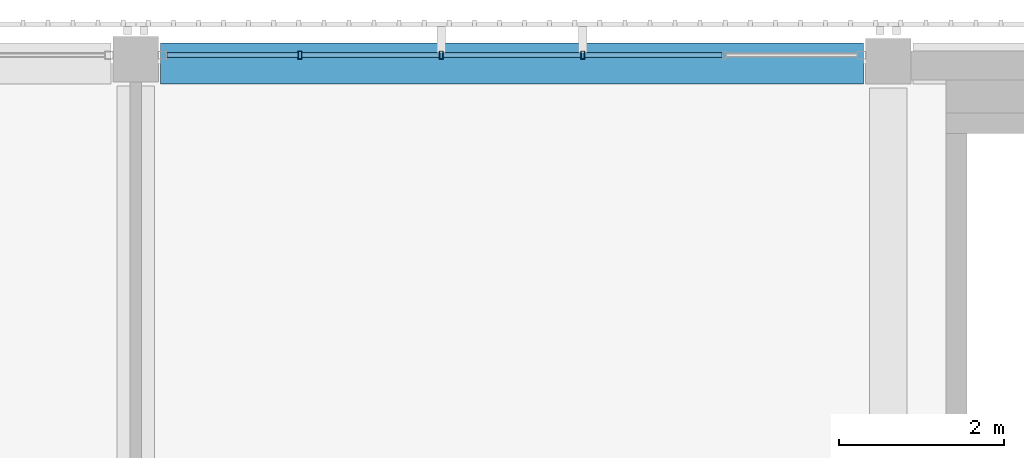
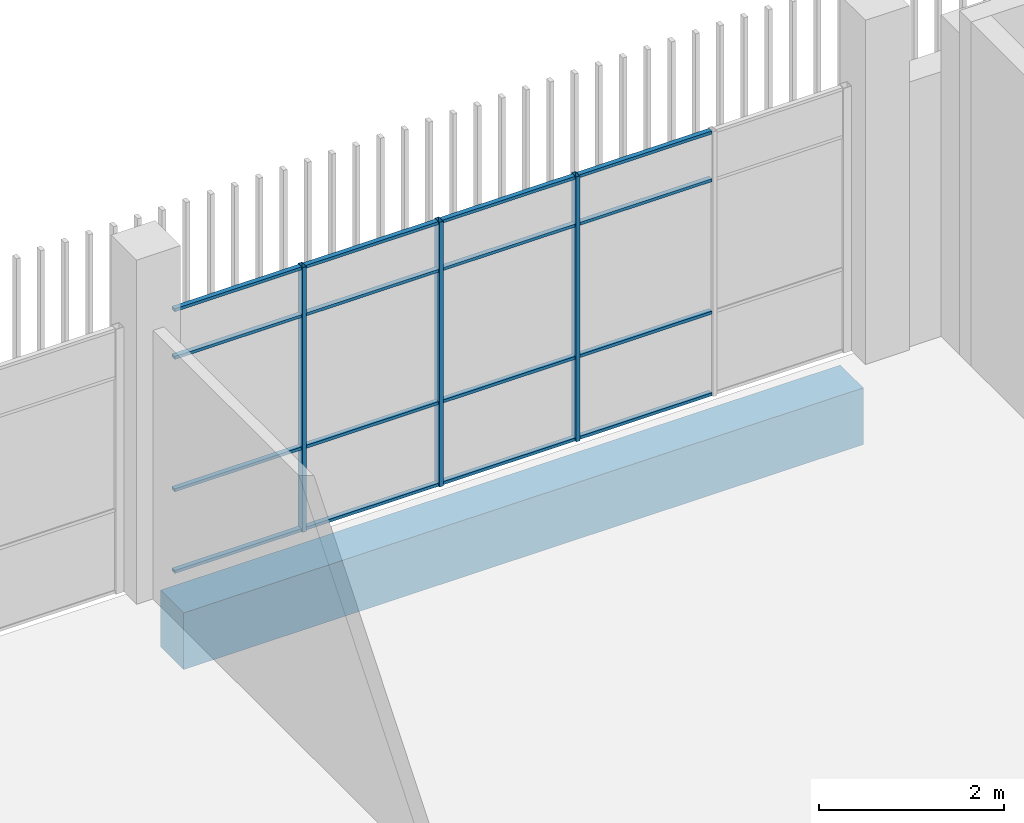
# One storey, part 31 of 104: 19 members, 1 beam, 1 element without a shape of its own.
"""IFC4 building model written with IfcOpenShell, lengths in metres."""

from ifc_helpers import new_model, si_unit, direction, frame, origin, origin_2d, place, context, subcontext, project, spatial, rectangle, hollow_rectangle, extrude, material, layer, layer_set, material_profile, profile_set, type_object, element, aggregate, save


model = new_model("IFC4")

# Units and contexts
model_context = context("Model", 3, precision=1e-05, world=origin(), true_north=direction((0.0, 1.0)))
body_context = subcontext(model_context, "Body", "Model", "MODEL_VIEW")
ifc_project = project(units=[si_unit("LENGTHUNIT", "METRE"), si_unit("AREAUNIT", "SQUARE_METRE"), si_unit("VOLUMEUNIT", "CUBIC_METRE"), si_unit("PLANEANGLEUNIT", "RADIAN"), si_unit("MASSUNIT", "GRAM", prefix="KILO")], contexts=[model_context])

# Site, building, storey
site_placement = place(None, origin())
site = spatial("IfcSite", under=ifc_project, at=site_placement, CompositionType="ELEMENT")
building_placement = place(site_placement, origin())
building = spatial("IfcBuilding", under=site, at=building_placement, Name="Shirokan Park Arena", CompositionType="ELEMENT")
storey_placement = place(building_placement, frame((0.0, 0.0, 10.919921875)))
storey = spatial("IfcBuildingStorey", under=building, at=storey_placement, Name="L02", CompositionType="ELEMENT", Elevation=10.919921875)

# Curtain wall, members
ifc_material_1 = material(Name="Steel and glass curtain wall", Category="steel")
ifc_layer = layer(ifc_material_1, 0.10009765625)
ifc_layer_set = layer_set([ifc_layer], Name="Steel and glass curtain wall 100 mm")
curtain_wall_type = type_object("IfcCurtainWallType", Name="Curtain wall sheltered bay 100", PredefinedType="NOTDEFINED", material=ifc_layer_set)
curtain_wall_placement = place(storey_placement, origin())
curtain_wall = element("IfcCurtainWall", 1, at=curtain_wall_placement, inside=storey, type_object=curtain_wall_type, Name="Curtain wall north bay 8 L02", PredefinedType="NOTDEFINED")
ifc_material_2 = material(Name="Steel S355", Category="steel")
ifc_material_profile_1 = material_profile(ifc_material_2, hollow_rectangle(XDim=0.10009765625, YDim=0.050048828125, WallThickness=0.0048828125, at=origin_2d()), Name="RHS 100x50x5")
ifc_profile_set_1 = profile_set([ifc_material_profile_1], Name="Steel S355")
member_type_1 = type_object("IfcMemberType", Name="Mullion RHS 100x50x5", PredefinedType="MULLION", material=ifc_profile_set_1)
member_1_placement = place(storey_placement, frame((78.205078125, 109.300048828125, 0.0), z_axis=(0.0, 0.0, 1.0), x_axis=(0.0, -1.0, 0.0)))
member_1 = element("IfcMember", 2, at=member_1_placement, type_object=member_type_1, Name="CW2 mullion 3", PredefinedType="MULLION", context=body_context, shape_type="SweptSolid", body=[
    extrude(hollow_rectangle(XDim=0.10009765625, YDim=0.050048828125, WallThickness=0.0048828125, at=origin_2d()), origin(), (0.0, 0.0, 1.0), 3.5),
])
member_2_placement = place(storey_placement, frame((76.4951171875, 109.300048828125, 0.0), z_axis=(0.0, 0.0, 1.0), x_axis=(0.0, -1.0, 0.0)))
member_2 = element("IfcMember", 3, at=member_2_placement, type_object=member_type_1, Name="CW2 mullion 4", PredefinedType="MULLION", context=body_context, shape_type="SweptSolid", body=[
    extrude(hollow_rectangle(XDim=0.10009765625, YDim=0.050048828125, WallThickness=0.0048828125, at=origin_2d()), origin(), (0.0, 0.0, 1.0), 3.5),
])
member_3_placement = place(storey_placement, frame((74.784912109375, 109.300048828125, 0.0), z_axis=(0.0, 0.0, 1.0), x_axis=(0.0, -1.0, 0.0)))
member_3 = element("IfcMember", 4, at=member_3_placement, type_object=member_type_1, Name="CW2 mullion 5", PredefinedType="MULLION", context=body_context, shape_type="SweptSolid", body=[
    extrude(hollow_rectangle(XDim=0.10009765625, YDim=0.050048828125, WallThickness=0.0048828125, at=origin_2d()), origin(), (0.0, 0.0, 1.0), 3.5),
])

# Beam
ifc_material_3 = material(Name="Concrete C35", Category="concrete")
ifc_material_profile_2 = material_profile(ifc_material_3, rectangle(XDim=0.5, YDim=0.75, at=origin_2d()), Name="500x750")
ifc_profile_set_2 = profile_set([ifc_material_profile_2], Name="Concrete C35")
beam_type = type_object("IfcBeamType", Name="RC girder 500x750", PredefinedType="BEAM", material=ifc_profile_set_2)
beam_placement = place(storey_placement, frame((73.10009765625, 109.199951171875, -0.6748046875), z_axis=(1.0, 0.0, 0.0), x_axis=(0.0, 1.0, 0.0)))
element("IfcBeam", 5, at=beam_placement, inside=storey, type_object=beam_type, Name="Girder 9N-10N L02", PredefinedType="BEAM", context=body_context, shape_type="SweptSolid", body=[
    extrude(rectangle(XDim=0.5, YDim=0.75, at=origin_2d()), origin(), (0.0, 0.0, 1.0), 8.499755859375),
])

# Member
ifc_material_profile_3 = material_profile(ifc_material_2, hollow_rectangle(XDim=0.06005859375, YDim=0.0400390625, WallThickness=0.00390625, at=origin_2d()), Name="RHS 60x40x4")
ifc_profile_set_3 = profile_set([ifc_material_profile_3], Name="Steel S355")
member_type_2 = type_object("IfcMemberType", Name="Transom RHS 60x40x4", PredefinedType="MULLION", material=ifc_profile_set_3)
member_4_placement = place(storey_placement, frame((79.889892578125, 109.300048828125, 0.02001953125), z_axis=(-1.0, 0.0, 0.0), x_axis=(0.0, -1.0, 0.0)))
member_4 = element("IfcMember", 6, at=member_4_placement, type_object=member_type_2, Name="CW2 transom 2.1", PredefinedType="MULLION", context=body_context, shape_type="SweptSolid", body=[
    extrude(hollow_rectangle(XDim=0.06005859375, YDim=0.0400390625, WallThickness=0.00390625, at=origin_2d()), origin(), (0.0, 0.0, 1.0), 1.659912109375),
])

member_5_placement = place(storey_placement, frame((79.889892578125, 109.300048828125, 1.10009765625), z_axis=(-1.0, 0.0, 0.0), x_axis=(0.0, -1.0, 0.0)))
member_5 = element("IfcMember", 7, at=member_5_placement, type_object=member_type_2, Name="CW2 transom 2.2", PredefinedType="MULLION", context=body_context, shape_type="SweptSolid", body=[
    extrude(hollow_rectangle(XDim=0.06005859375, YDim=0.0400390625, WallThickness=0.00390625, at=origin_2d()), origin(), (0.0, 0.0, 1.0), 1.659912109375),
])

member_6_placement = place(storey_placement, frame((79.889892578125, 109.300048828125, 2.85009765625), z_axis=(-1.0, 0.0, 0.0), x_axis=(0.0, -1.0, 0.0)))
member_6 = element("IfcMember", 8, at=member_6_placement, type_object=member_type_2, Name="CW2 transom 2.3", PredefinedType="MULLION", context=body_context, shape_type="SweptSolid", body=[
    extrude(hollow_rectangle(XDim=0.06005859375, YDim=0.0400390625, WallThickness=0.00390625, at=origin_2d()), origin(), (0.0, 0.0, 1.0), 1.659912109375),
])

member_7_placement = place(storey_placement, frame((79.889892578125, 109.300048828125, 3.47998046875), z_axis=(-1.0, 0.0, 0.0), x_axis=(0.0, -1.0, 0.0)))
member_7 = element("IfcMember", 9, at=member_7_placement, type_object=member_type_2, Name="CW2 transom 2.4", PredefinedType="MULLION", context=body_context, shape_type="SweptSolid", body=[
    extrude(hollow_rectangle(XDim=0.06005859375, YDim=0.0400390625, WallThickness=0.00390625, at=origin_2d()), origin(), (0.0, 0.0, 1.0), 1.659912109375),
])

member_8_placement = place(storey_placement, frame((78.179931640625, 109.300048828125, 0.02001953125), z_axis=(-1.0, 0.0, 0.0), x_axis=(0.0, -1.0, 0.0)))
member_8 = element("IfcMember", 10, at=member_8_placement, type_object=member_type_2, Name="CW2 transom 3.1", PredefinedType="MULLION", context=body_context, shape_type="SweptSolid", body=[
    extrude(hollow_rectangle(XDim=0.06005859375, YDim=0.0400390625, WallThickness=0.00390625, at=origin_2d()), origin(), (0.0, 0.0, 1.0), 1.659912109375),
])

member_9_placement = place(storey_placement, frame((78.179931640625, 109.300048828125, 1.10009765625), z_axis=(-1.0, 0.0, 0.0), x_axis=(0.0, -1.0, 0.0)))
member_9 = element("IfcMember", 11, at=member_9_placement, type_object=member_type_2, Name="CW2 transom 3.2", PredefinedType="MULLION", context=body_context, shape_type="SweptSolid", body=[
    extrude(hollow_rectangle(XDim=0.06005859375, YDim=0.0400390625, WallThickness=0.00390625, at=origin_2d()), origin(), (0.0, 0.0, 1.0), 1.659912109375),
])

member_10_placement = place(storey_placement, frame((78.179931640625, 109.300048828125, 2.85009765625), z_axis=(-1.0, 0.0, 0.0), x_axis=(0.0, -1.0, 0.0)))
member_10 = element("IfcMember", 12, at=member_10_placement, type_object=member_type_2, Name="CW2 transom 3.3", PredefinedType="MULLION", context=body_context, shape_type="SweptSolid", body=[
    extrude(hollow_rectangle(XDim=0.06005859375, YDim=0.0400390625, WallThickness=0.00390625, at=origin_2d()), origin(), (0.0, 0.0, 1.0), 1.659912109375),
])

member_11_placement = place(storey_placement, frame((78.179931640625, 109.300048828125, 3.47998046875), z_axis=(-1.0, 0.0, 0.0), x_axis=(0.0, -1.0, 0.0)))
member_11 = element("IfcMember", 13, at=member_11_placement, type_object=member_type_2, Name="CW2 transom 3.4", PredefinedType="MULLION", context=body_context, shape_type="SweptSolid", body=[
    extrude(hollow_rectangle(XDim=0.06005859375, YDim=0.0400390625, WallThickness=0.00390625, at=origin_2d()), origin(), (0.0, 0.0, 1.0), 1.659912109375),
])

member_12_placement = place(storey_placement, frame((76.469970703125, 109.300048828125, 0.02001953125), z_axis=(-1.0, 0.0, 0.0), x_axis=(0.0, -1.0, 0.0)))
member_12 = element("IfcMember", 14, at=member_12_placement, type_object=member_type_2, Name="CW2 transom 4.1", PredefinedType="MULLION", context=body_context, shape_type="SweptSolid", body=[
    extrude(hollow_rectangle(XDim=0.06005859375, YDim=0.0400390625, WallThickness=0.00390625, at=origin_2d()), origin(), (0.0, 0.0, 1.0), 1.659912109375),
])

member_13_placement = place(storey_placement, frame((76.469970703125, 109.300048828125, 1.10009765625), z_axis=(-1.0, 0.0, 0.0), x_axis=(0.0, -1.0, 0.0)))
member_13 = element("IfcMember", 15, at=member_13_placement, type_object=member_type_2, Name="CW2 transom 4.2", PredefinedType="MULLION", context=body_context, shape_type="SweptSolid", body=[
    extrude(hollow_rectangle(XDim=0.06005859375, YDim=0.0400390625, WallThickness=0.00390625, at=origin_2d()), origin(), (0.0, 0.0, 1.0), 1.659912109375),
])

member_14_placement = place(storey_placement, frame((76.469970703125, 109.300048828125, 2.85009765625), z_axis=(-1.0, 0.0, 0.0), x_axis=(0.0, -1.0, 0.0)))
member_14 = element("IfcMember", 16, at=member_14_placement, type_object=member_type_2, Name="CW2 transom 4.3", PredefinedType="MULLION", context=body_context, shape_type="SweptSolid", body=[
    extrude(hollow_rectangle(XDim=0.06005859375, YDim=0.0400390625, WallThickness=0.00390625, at=origin_2d()), origin(), (0.0, 0.0, 1.0), 1.659912109375),
])

member_15_placement = place(storey_placement, frame((76.469970703125, 109.300048828125, 3.47998046875), z_axis=(-1.0, 0.0, 0.0), x_axis=(0.0, -1.0, 0.0)))
member_15 = element("IfcMember", 17, at=member_15_placement, type_object=member_type_2, Name="CW2 transom 4.4", PredefinedType="MULLION", context=body_context, shape_type="SweptSolid", body=[
    extrude(hollow_rectangle(XDim=0.06005859375, YDim=0.0400390625, WallThickness=0.00390625, at=origin_2d()), origin(), (0.0, 0.0, 1.0), 1.659912109375),
])

member_16_placement = place(storey_placement, frame((74.760009765625, 109.300048828125, 0.02001953125), z_axis=(-1.0, 0.0, 0.0), x_axis=(0.0, -1.0, 0.0)))
member_16 = element("IfcMember", 18, at=member_16_placement, type_object=member_type_2, Name="CW2 transom 5.1", PredefinedType="MULLION", context=body_context, shape_type="SweptSolid", body=[
    extrude(hollow_rectangle(XDim=0.06005859375, YDim=0.0400390625, WallThickness=0.00390625, at=origin_2d()), origin(), (0.0, 0.0, 1.0), 1.5849609375),
])

member_17_placement = place(storey_placement, frame((74.760009765625, 109.300048828125, 1.10009765625), z_axis=(-1.0, 0.0, 0.0), x_axis=(0.0, -1.0, 0.0)))
member_17 = element("IfcMember", 19, at=member_17_placement, type_object=member_type_2, Name="CW2 transom 5.2", PredefinedType="MULLION", context=body_context, shape_type="SweptSolid", body=[
    extrude(hollow_rectangle(XDim=0.06005859375, YDim=0.0400390625, WallThickness=0.00390625, at=origin_2d()), origin(), (0.0, 0.0, 1.0), 1.5849609375),
])

member_18_placement = place(storey_placement, frame((74.760009765625, 109.300048828125, 2.85009765625), z_axis=(-1.0, 0.0, 0.0), x_axis=(0.0, -1.0, 0.0)))
member_18 = element("IfcMember", 20, at=member_18_placement, type_object=member_type_2, Name="CW2 transom 5.3", PredefinedType="MULLION", context=body_context, shape_type="SweptSolid", body=[
    extrude(hollow_rectangle(XDim=0.06005859375, YDim=0.0400390625, WallThickness=0.00390625, at=origin_2d()), origin(), (0.0, 0.0, 1.0), 1.5849609375),
])

member_19_placement = place(storey_placement, frame((74.760009765625, 109.300048828125, 3.47998046875), z_axis=(-1.0, 0.0, 0.0), x_axis=(0.0, -1.0, 0.0)))
member_19 = element("IfcMember", 21, at=member_19_placement, type_object=member_type_2, Name="CW2 transom 5.4", PredefinedType="MULLION", context=body_context, shape_type="SweptSolid", body=[
    extrude(hollow_rectangle(XDim=0.06005859375, YDim=0.0400390625, WallThickness=0.00390625, at=origin_2d()), origin(), (0.0, 0.0, 1.0), 1.5849609375),
])

aggregate(curtain_wall, [member_1, member_2, member_3, member_4, member_5, member_6, member_7, member_8, member_9, member_10, member_11, member_12, member_13, member_14, member_15, member_16, member_17, member_18, member_19])

save(model, "model.ifc")
